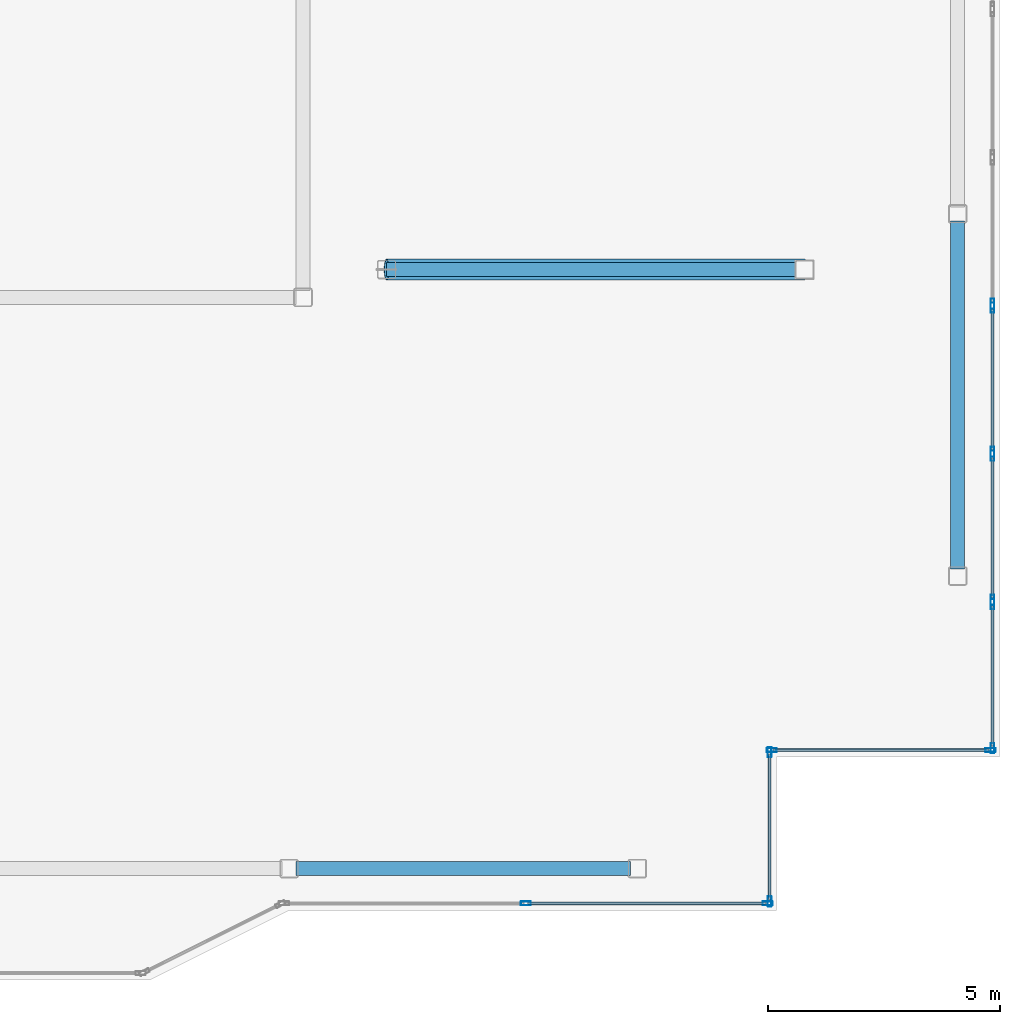
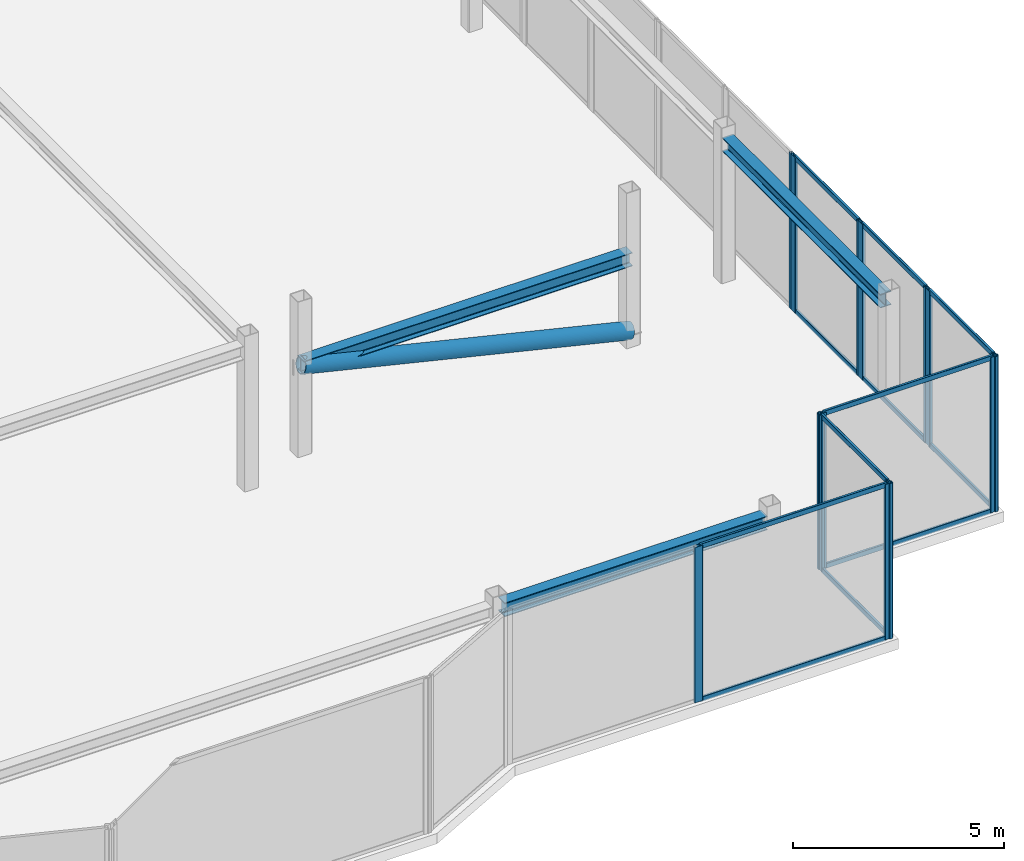
# One storey, part 8 of 14: 26 members, 3 beams, 7 elements without a shape of their own.
"""IFC4 building model written with IfcOpenShell, lengths in metres."""

from ifc_helpers import new_model, si_unit, direction, frame, origin, origin_2d, place, context, subcontext, project, spatial, hollow_rectangle, hollow_circle, i_section, extrude, material, layer, layer_set, material_profile, profile_set, type_object, element, aggregate, save


model = new_model("IFC4")

# Units and contexts
model_context = context("Model", 3, precision=1e-05, world=origin(), true_north=direction((0.0, 1.0)))
body_context = subcontext(model_context, "Body", "Model", "MODEL_VIEW")
ifc_project = project(units=[si_unit("LENGTHUNIT", "METRE"), si_unit("AREAUNIT", "SQUARE_METRE"), si_unit("VOLUMEUNIT", "CUBIC_METRE"), si_unit("PLANEANGLEUNIT", "RADIAN"), si_unit("MASSUNIT", "GRAM", prefix="KILO")], contexts=[model_context])

# Site, building, storey
site_placement = place(None, origin())
site = spatial("IfcSite", under=ifc_project, at=site_placement, CompositionType="ELEMENT")
building_placement = place(site_placement, origin())
building = spatial("IfcBuilding", under=site, at=building_placement, Name="Tarnavaz Court Tower", CompositionType="ELEMENT")
storey_placement = place(building_placement, frame((0.0, 0.0, 286.050048828125)))
storey = spatial("IfcBuildingStorey", under=building, at=storey_placement, Name="C02", CompositionType="ELEMENT", Elevation=286.050048828125)

# Beams
ifc_material_1 = material(Name="Steel S355", Category="steel")
ifc_material_profile_1 = material_profile(ifc_material_1, i_section(OverallWidth=0.300048828125, OverallDepth=0.389892578125, WebThickness=0.010986328125, FlangeThickness=0.01904296875, FilletRadius=0.027099609375, at=origin_2d()), Name="HEA 400")
ifc_profile_set_1 = profile_set([ifc_material_profile_1], Name="Steel S355")
beam_type_1 = type_object("IfcBeamType", Name="BM-CR-IPE300", PredefinedType="USERDEFINED", material=ifc_profile_set_1)
beam_1_placement = place(storey_placement, frame((18.60009765625, -7.199951171875, 2.5), z_axis=(-1.0, 0.0, 0.0), x_axis=(0.0, -1.0, 0.0)))
element("IfcBeam", 1, at=beam_1_placement, inside=storey, type_object=beam_type_1, Name="C02 Crown Frame E Core Tie Beam", ObjectType="CROWN FRAME", PredefinedType="USERDEFINED", context=body_context, shape_type="SweptSolid", body=[
    extrude(i_section(OverallWidth=0.300048828125, OverallDepth=0.389892578125, WebThickness=0.010986328125, FlangeThickness=0.01904296875, FilletRadius=0.027099609375, at=origin_2d()), origin(), (0.0, 0.0, 1.0), 9.0),
])
ifc_material_profile_2 = material_profile(ifc_material_1, i_section(OverallWidth=0.300048828125, OverallDepth=0.39990234375, WebThickness=0.013427734375, FlangeThickness=0.02392578125, FilletRadius=0.027099609375, at=origin_2d()), Name="HEB 400")
ifc_profile_set_2 = profile_set([ifc_material_profile_2], Name="Steel S355")
beam_type_2 = type_object("IfcBeamType", Name="BM-G-HEB400", PredefinedType="USERDEFINED", material=ifc_profile_set_2)
beam_2_placement = place(storey_placement, frame((7.64990234375, -20.10009765625, 4.0), z_axis=(1.0, 0.0, 0.0), x_axis=(0.0, 1.0, 0.0)))
element("IfcBeam", 2, at=beam_2_placement, inside=storey, type_object=beam_type_2, Name="C02 Beam CRG-PS-3-PS-4", ObjectType="GIRDER", PredefinedType="USERDEFINED", context=body_context, shape_type="SweptSolid", body=[
    extrude(i_section(OverallWidth=0.300048828125, OverallDepth=0.39990234375, WebThickness=0.013427734375, FlangeThickness=0.02392578125, FilletRadius=0.027099609375, at=origin_2d()), origin(), (0.0, 0.0, 1.0), 7.2001953125),
])
beam_3_placement = place(storey_placement, frame((21.89990234375, -13.64990234375, 4.0), z_axis=(0.0, 1.0, 0.0), x_axis=(-1.0, 0.0, 0.0)))
element("IfcBeam", 3, at=beam_3_placement, inside=storey, type_object=beam_type_2, Name="C02 Beam CRG-PE-1-PE-2", ObjectType="GIRDER", PredefinedType="USERDEFINED", context=body_context, shape_type="SweptSolid", body=[
    extrude(i_section(OverallWidth=0.300048828125, OverallDepth=0.39990234375, WebThickness=0.013427734375, FlangeThickness=0.02392578125, FilletRadius=0.027099609375, at=origin_2d()), origin(), (0.0, 0.0, 1.0), 7.5),
])

# Curtain wall, member
ifc_material_2 = material(Name="Anodised Aluminium 6063-T6 and Solar Low-E Glazing", Category="aluminium")
ifc_layer = layer(ifc_material_2, 0.2099609375)
ifc_layer_set = layer_set([ifc_layer], Name="Anodised Aluminium 6063-T6 and Solar Low-E Glazing")
curtain_wall_type = type_object("IfcCurtainWallType", Name="CW-SYS-06", PredefinedType="NOTDEFINED", material=ifc_layer_set)
curtain_wall_1_placement = place(storey_placement, origin())
curtain_wall_1 = element("IfcCurtainWall", 4, at=curtain_wall_1_placement, inside=storey, type_object=curtain_wall_type, Name="C02 Slanted Crown Terracotta Curtain Wall 31", PredefinedType="NOTDEFINED")
ifc_material_3 = material(Name="Anodised Aluminium 6063-T6", Category="aluminium")
ifc_material_profile_3 = material_profile(ifc_material_3, hollow_rectangle(XDim=0.0849609375, YDim=0.219970703125, WallThickness=0.006103515625, InnerFilletRadius=0.006103515625, OuterFilletRadius=0.011962890625, at=origin_2d()), Name="ALU RHS 220X85X6")
ifc_profile_set_3 = profile_set([ifc_material_profile_3], Name="Anodised Aluminium 6063-T6")
member_type_1 = type_object("IfcMemberType", Name="CW-MUL-220", PredefinedType="MULLION", material=ifc_profile_set_3)
member_1_placement = place(storey_placement, frame((22.64990234375, -7.934814453125, 0.0), z_axis=(0.0, 0.0, 1.0), x_axis=(1.0, 0.0, 0.0)))
member_1 = element("IfcMember", 5, at=member_1_placement, type_object=member_type_1, Name="CW mullion 2", PredefinedType="MULLION", context=body_context, shape_type="SweptSolid", body=[
    extrude(hollow_rectangle(XDim=0.0849609375, YDim=0.219970703125, WallThickness=0.006103515625, InnerFilletRadius=0.006103515625, OuterFilletRadius=0.011962890625, at=origin_2d()), origin(), (0.0, 0.0, 1.0), 4.5),
])
aggregate(curtain_wall_1, [member_1])

# Curtain wall, members
curtain_wall_2_placement = place(storey_placement, origin())
curtain_wall_2 = element("IfcCurtainWall", 6, at=curtain_wall_2_placement, inside=storey, type_object=curtain_wall_type, Name="C02 Slanted Crown Terracotta Curtain Wall 32", PredefinedType="NOTDEFINED")
member_2_placement = place(storey_placement, frame((22.64990234375, -8.019775390625, 0.0), z_axis=(0.0, 0.0, 1.0), x_axis=(1.0, 0.0, 0.0)))
member_2 = element("IfcMember", 7, at=member_2_placement, type_object=member_type_1, Name="CW mullion 1", PredefinedType="MULLION", context=body_context, shape_type="SweptSolid", body=[
    extrude(hollow_rectangle(XDim=0.0849609375, YDim=0.219970703125, WallThickness=0.006103515625, InnerFilletRadius=0.006103515625, OuterFilletRadius=0.011962890625, at=origin_2d()), origin(), (0.0, 0.0, 1.0), 4.5),
])
member_3_placement = place(storey_placement, frame((22.64990234375, -11.125732421875, 0.0), z_axis=(0.0, 0.0, 1.0), x_axis=(1.0, 0.0, 0.0)))
member_3 = element("IfcMember", 8, at=member_3_placement, type_object=member_type_1, Name="CW mullion 2", PredefinedType="MULLION", context=body_context, shape_type="SweptSolid", body=[
    extrude(hollow_rectangle(XDim=0.0849609375, YDim=0.219970703125, WallThickness=0.006103515625, InnerFilletRadius=0.006103515625, OuterFilletRadius=0.011962890625, at=origin_2d()), origin(), (0.0, 0.0, 1.0), 4.5),
])

curtain_wall_3_placement = place(storey_placement, origin())
curtain_wall_3 = element("IfcCurtainWall", 9, at=curtain_wall_3_placement, inside=storey, type_object=curtain_wall_type, Name="C02 Slanted Crown Terracotta Curtain Wall 33", PredefinedType="NOTDEFINED")
member_4_placement = place(storey_placement, frame((22.64990234375, -11.210693359375, 0.0), z_axis=(0.0, 0.0, 1.0), x_axis=(1.0, 0.0, 0.0)))
member_4 = element("IfcMember", 10, at=member_4_placement, type_object=member_type_1, Name="CW mullion 1", PredefinedType="MULLION", context=body_context, shape_type="SweptSolid", body=[
    extrude(hollow_rectangle(XDim=0.0849609375, YDim=0.219970703125, WallThickness=0.006103515625, InnerFilletRadius=0.006103515625, OuterFilletRadius=0.011962890625, at=origin_2d()), origin(), (0.0, 0.0, 1.0), 4.5),
])
member_5_placement = place(storey_placement, frame((22.64990234375, -14.316650390625, 0.0), z_axis=(0.0, 0.0, 1.0), x_axis=(1.0, 0.0, 0.0)))
member_5 = element("IfcMember", 11, at=member_5_placement, type_object=member_type_1, Name="CW mullion 2", PredefinedType="MULLION", context=body_context, shape_type="SweptSolid", body=[
    extrude(hollow_rectangle(XDim=0.0849609375, YDim=0.219970703125, WallThickness=0.006103515625, InnerFilletRadius=0.006103515625, OuterFilletRadius=0.011962890625, at=origin_2d()), origin(), (0.0, 0.0, 1.0), 4.5),
])

curtain_wall_4_placement = place(storey_placement, origin())
curtain_wall_4 = element("IfcCurtainWall", 12, at=curtain_wall_4_placement, inside=storey, type_object=curtain_wall_type, Name="C02 Slanted Crown Terracotta Curtain Wall 34", PredefinedType="NOTDEFINED")
member_6_placement = place(storey_placement, frame((22.64990234375, -14.401611328125, 0.0), z_axis=(0.0, 0.0, 1.0), x_axis=(1.0, 0.0, 0.0)))
member_6 = element("IfcMember", 13, at=member_6_placement, type_object=member_type_1, Name="CW mullion 1", PredefinedType="MULLION", context=body_context, shape_type="SweptSolid", body=[
    extrude(hollow_rectangle(XDim=0.0849609375, YDim=0.219970703125, WallThickness=0.006103515625, InnerFilletRadius=0.006103515625, OuterFilletRadius=0.011962890625, at=origin_2d()), origin(), (0.0, 0.0, 1.0), 4.5),
])
member_7_placement = place(storey_placement, frame((22.64990234375, -17.507568359375, 0.0), z_axis=(0.0, 0.0, 1.0), x_axis=(1.0, 0.0, 0.0)))
member_7 = element("IfcMember", 14, at=member_7_placement, type_object=member_type_1, Name="CW mullion 2", PredefinedType="MULLION", context=body_context, shape_type="SweptSolid", body=[
    extrude(hollow_rectangle(XDim=0.0849609375, YDim=0.219970703125, WallThickness=0.006103515625, InnerFilletRadius=0.006103515625, OuterFilletRadius=0.011962890625, at=origin_2d()), origin(), (0.0, 0.0, 1.0), 4.5),
])

curtain_wall_5_placement = place(storey_placement, origin())
curtain_wall_5 = element("IfcCurtainWall", 15, at=curtain_wall_5_placement, inside=storey, type_object=curtain_wall_type, Name="C02 Slanted Crown Terracotta Curtain Wall 35", PredefinedType="NOTDEFINED")
member_8_placement = place(storey_placement, frame((22.607421875, -17.550048828125, 0.0), z_axis=(0.0, 0.0, 1.0), x_axis=(0.0, -1.0, 0.0)))
member_8 = element("IfcMember", 16, at=member_8_placement, type_object=member_type_1, Name="CW mullion 1", PredefinedType="MULLION", context=body_context, shape_type="SweptSolid", body=[
    extrude(hollow_rectangle(XDim=0.0849609375, YDim=0.219970703125, WallThickness=0.006103515625, InnerFilletRadius=0.006103515625, OuterFilletRadius=0.011962890625, at=origin_2d()), origin(), (0.0, 0.0, 1.0), 4.5),
])
member_9_placement = place(storey_placement, frame((17.892578125, -17.550048828125, 0.0), z_axis=(0.0, 0.0, 1.0), x_axis=(0.0, -1.0, 0.0)))
member_9 = element("IfcMember", 17, at=member_9_placement, type_object=member_type_1, Name="CW mullion 2", PredefinedType="MULLION", context=body_context, shape_type="SweptSolid", body=[
    extrude(hollow_rectangle(XDim=0.0849609375, YDim=0.219970703125, WallThickness=0.006103515625, InnerFilletRadius=0.006103515625, OuterFilletRadius=0.011962890625, at=origin_2d()), origin(), (0.0, 0.0, 1.0), 4.5),
])

curtain_wall_6_placement = place(storey_placement, origin())
curtain_wall_6 = element("IfcCurtainWall", 18, at=curtain_wall_6_placement, inside=storey, type_object=curtain_wall_type, Name="C02 Slanted Crown Terracotta Curtain Wall 36", PredefinedType="NOTDEFINED")
member_10_placement = place(storey_placement, frame((17.85009765625, -17.592529296875, 0.0), z_axis=(0.0, 0.0, 1.0), x_axis=(1.0, 0.0, 0.0)))
member_10 = element("IfcMember", 19, at=member_10_placement, type_object=member_type_1, Name="CW mullion 1", PredefinedType="MULLION", context=body_context, shape_type="SweptSolid", body=[
    extrude(hollow_rectangle(XDim=0.0849609375, YDim=0.219970703125, WallThickness=0.006103515625, InnerFilletRadius=0.006103515625, OuterFilletRadius=0.011962890625, at=origin_2d()), origin(), (0.0, 0.0, 1.0), 4.5),
])
member_11_placement = place(storey_placement, frame((17.85009765625, -20.8076171875, 0.0), z_axis=(0.0, 0.0, 1.0), x_axis=(1.0, 0.0, 0.0)))
member_11 = element("IfcMember", 20, at=member_11_placement, type_object=member_type_1, Name="CW mullion 2", PredefinedType="MULLION", context=body_context, shape_type="SweptSolid", body=[
    extrude(hollow_rectangle(XDim=0.0849609375, YDim=0.219970703125, WallThickness=0.006103515625, InnerFilletRadius=0.006103515625, OuterFilletRadius=0.011962890625, at=origin_2d()), origin(), (0.0, 0.0, 1.0), 4.5),
])

curtain_wall_7_placement = place(storey_placement, origin())
curtain_wall_7 = element("IfcCurtainWall", 21, at=curtain_wall_7_placement, inside=storey, type_object=curtain_wall_type, Name="C02 Slanted Crown Terracotta Curtain Wall 37", PredefinedType="NOTDEFINED")
member_12_placement = place(storey_placement, frame((17.8076171875, -20.85009765625, 0.0), z_axis=(0.0, 0.0, 1.0), x_axis=(0.0, -1.0, 0.0)))
member_12 = element("IfcMember", 22, at=member_12_placement, type_object=member_type_1, Name="CW mullion 1", PredefinedType="MULLION", context=body_context, shape_type="SweptSolid", body=[
    extrude(hollow_rectangle(XDim=0.0849609375, YDim=0.219970703125, WallThickness=0.006103515625, InnerFilletRadius=0.006103515625, OuterFilletRadius=0.011962890625, at=origin_2d()), origin(), (0.0, 0.0, 1.0), 4.5),
])
member_13_placement = place(storey_placement, frame((12.60009765625, -20.85009765625, 0.0), z_axis=(0.0, 0.0, 1.0), x_axis=(0.0, -1.0, 0.0)))
member_13 = element("IfcMember", 23, at=member_13_placement, type_object=member_type_1, Name="CW mullion 2", PredefinedType="MULLION", context=body_context, shape_type="SweptSolid", body=[
    extrude(hollow_rectangle(XDim=0.0849609375, YDim=0.219970703125, WallThickness=0.006103515625, InnerFilletRadius=0.006103515625, OuterFilletRadius=0.011962890625, at=origin_2d()), origin(), (0.0, 0.0, 1.0), 4.5),
])

# Member
ifc_material_profile_4 = material_profile(ifc_material_3, hollow_rectangle(XDim=0.06494140625, YDim=0.139892578125, WallThickness=0.00390625, InnerFilletRadius=0.00390625, OuterFilletRadius=0.008056640625, at=origin_2d()), Name="ALU RHS 140X65X4")
ifc_profile_set_4 = profile_set([ifc_material_profile_4], Name="Anodised Aluminium 6063-T6")
member_type_2 = type_object("IfcMemberType", Name="CW-TRN-140", PredefinedType="USERDEFINED", material=ifc_profile_set_4)
member_14_placement = place(storey_placement, frame((22.64990234375, -8.062255859375, 0.032470703125), z_axis=(0.0, -1.0, 0.0), x_axis=(1.0, 0.0, 0.0)))
member_14 = element("IfcMember", 24, at=member_14_placement, type_object=member_type_2, Name="CW transom 1.1", ObjectType="TRANSOM", PredefinedType="USERDEFINED", context=body_context, shape_type="SweptSolid", body=[
    extrude(hollow_rectangle(XDim=0.06494140625, YDim=0.139892578125, WallThickness=0.00390625, InnerFilletRadius=0.00390625, OuterFilletRadius=0.008056640625, at=origin_2d()), origin(), (0.0, 0.0, 1.0), 3.02099609375),
])

member_15_placement = place(storey_placement, frame((22.64990234375, -8.062255859375, 4.467529296875), z_axis=(0.0, -1.0, 0.0), x_axis=(1.0, 0.0, 0.0)))
member_15 = element("IfcMember", 25, at=member_15_placement, type_object=member_type_2, Name="CW transom 1.2", ObjectType="TRANSOM", PredefinedType="USERDEFINED", context=body_context, shape_type="SweptSolid", body=[
    extrude(hollow_rectangle(XDim=0.06494140625, YDim=0.139892578125, WallThickness=0.00390625, InnerFilletRadius=0.00390625, OuterFilletRadius=0.008056640625, at=origin_2d()), origin(), (0.0, 0.0, 1.0), 3.02099609375),
])

aggregate(curtain_wall_2, [member_2, member_3, member_14, member_15])

member_16_placement = place(storey_placement, frame((22.64990234375, -11.253173828125, 0.032470703125), z_axis=(0.0, -1.0, 0.0), x_axis=(1.0, 0.0, 0.0)))
member_16 = element("IfcMember", 26, at=member_16_placement, type_object=member_type_2, Name="CW transom 1.1", ObjectType="TRANSOM", PredefinedType="USERDEFINED", context=body_context, shape_type="SweptSolid", body=[
    extrude(hollow_rectangle(XDim=0.06494140625, YDim=0.139892578125, WallThickness=0.00390625, InnerFilletRadius=0.00390625, OuterFilletRadius=0.008056640625, at=origin_2d()), origin(), (0.0, 0.0, 1.0), 3.02099609375),
])

member_17_placement = place(storey_placement, frame((22.64990234375, -11.253173828125, 4.467529296875), z_axis=(0.0, -1.0, 0.0), x_axis=(1.0, 0.0, 0.0)))
member_17 = element("IfcMember", 27, at=member_17_placement, type_object=member_type_2, Name="CW transom 1.2", ObjectType="TRANSOM", PredefinedType="USERDEFINED", context=body_context, shape_type="SweptSolid", body=[
    extrude(hollow_rectangle(XDim=0.06494140625, YDim=0.139892578125, WallThickness=0.00390625, InnerFilletRadius=0.00390625, OuterFilletRadius=0.008056640625, at=origin_2d()), origin(), (0.0, 0.0, 1.0), 3.02099609375),
])

aggregate(curtain_wall_3, [member_4, member_5, member_16, member_17])

member_18_placement = place(storey_placement, frame((22.64990234375, -14.444091796875, 0.032470703125), z_axis=(0.0, -1.0, 0.0), x_axis=(1.0, 0.0, 0.0)))
member_18 = element("IfcMember", 28, at=member_18_placement, type_object=member_type_2, Name="CW transom 1.1", ObjectType="TRANSOM", PredefinedType="USERDEFINED", context=body_context, shape_type="SweptSolid", body=[
    extrude(hollow_rectangle(XDim=0.06494140625, YDim=0.139892578125, WallThickness=0.00390625, InnerFilletRadius=0.00390625, OuterFilletRadius=0.008056640625, at=origin_2d()), origin(), (0.0, 0.0, 1.0), 3.02099609375),
])

member_19_placement = place(storey_placement, frame((22.64990234375, -14.444091796875, 4.467529296875), z_axis=(0.0, -1.0, 0.0), x_axis=(1.0, 0.0, 0.0)))
member_19 = element("IfcMember", 29, at=member_19_placement, type_object=member_type_2, Name="CW transom 1.2", ObjectType="TRANSOM", PredefinedType="USERDEFINED", context=body_context, shape_type="SweptSolid", body=[
    extrude(hollow_rectangle(XDim=0.06494140625, YDim=0.139892578125, WallThickness=0.00390625, InnerFilletRadius=0.00390625, OuterFilletRadius=0.008056640625, at=origin_2d()), origin(), (0.0, 0.0, 1.0), 3.02099609375),
])

aggregate(curtain_wall_4, [member_6, member_7, member_18, member_19])

member_20_placement = place(storey_placement, frame((22.56494140625, -17.550048828125, 0.032470703125), z_axis=(-1.0, 0.0, 0.0), x_axis=(0.0, -1.0, 0.0)))
member_20 = element("IfcMember", 30, at=member_20_placement, type_object=member_type_2, Name="CW transom 1.1", ObjectType="TRANSOM", PredefinedType="USERDEFINED", context=body_context, shape_type="SweptSolid", body=[
    extrude(hollow_rectangle(XDim=0.06494140625, YDim=0.139892578125, WallThickness=0.00390625, InnerFilletRadius=0.00390625, OuterFilletRadius=0.008056640625, at=origin_2d()), origin(), (0.0, 0.0, 1.0), 4.6298828125),
])

member_21_placement = place(storey_placement, frame((22.56494140625, -17.550048828125, 4.467529296875), z_axis=(-1.0, 0.0, 0.0), x_axis=(0.0, -1.0, 0.0)))
member_21 = element("IfcMember", 31, at=member_21_placement, type_object=member_type_2, Name="CW transom 1.2", ObjectType="TRANSOM", PredefinedType="USERDEFINED", context=body_context, shape_type="SweptSolid", body=[
    extrude(hollow_rectangle(XDim=0.06494140625, YDim=0.139892578125, WallThickness=0.00390625, InnerFilletRadius=0.00390625, OuterFilletRadius=0.008056640625, at=origin_2d()), origin(), (0.0, 0.0, 1.0), 4.6298828125),
])

aggregate(curtain_wall_5, [member_8, member_9, member_20, member_21])

member_22_placement = place(storey_placement, frame((17.85009765625, -17.635009765625, 0.032470703125), z_axis=(0.0, -1.0, 0.0), x_axis=(1.0, 0.0, 0.0)))
member_22 = element("IfcMember", 32, at=member_22_placement, type_object=member_type_2, Name="CW transom 1.1", ObjectType="TRANSOM", PredefinedType="USERDEFINED", context=body_context, shape_type="SweptSolid", body=[
    extrude(hollow_rectangle(XDim=0.06494140625, YDim=0.139892578125, WallThickness=0.00390625, InnerFilletRadius=0.00390625, OuterFilletRadius=0.008056640625, at=origin_2d()), origin(), (0.0, 0.0, 1.0), 3.1298828125),
])

member_23_placement = place(storey_placement, frame((17.85009765625, -17.635009765625, 4.467529296875), z_axis=(0.0, -1.0, 0.0), x_axis=(1.0, 0.0, 0.0)))
member_23 = element("IfcMember", 33, at=member_23_placement, type_object=member_type_2, Name="CW transom 1.2", ObjectType="TRANSOM", PredefinedType="USERDEFINED", context=body_context, shape_type="SweptSolid", body=[
    extrude(hollow_rectangle(XDim=0.06494140625, YDim=0.139892578125, WallThickness=0.00390625, InnerFilletRadius=0.00390625, OuterFilletRadius=0.008056640625, at=origin_2d()), origin(), (0.0, 0.0, 1.0), 3.1298828125),
])

aggregate(curtain_wall_6, [member_10, member_11, member_22, member_23])

member_24_placement = place(storey_placement, frame((17.764892578125, -20.85009765625, 0.032470703125), z_axis=(-1.0, 0.0, 0.0), x_axis=(0.0, -1.0, 0.0)))
member_24 = element("IfcMember", 34, at=member_24_placement, type_object=member_type_2, Name="CW transom 1.1", ObjectType="TRANSOM", PredefinedType="USERDEFINED", context=body_context, shape_type="SweptSolid", body=[
    extrude(hollow_rectangle(XDim=0.06494140625, YDim=0.139892578125, WallThickness=0.00390625, InnerFilletRadius=0.00390625, OuterFilletRadius=0.008056640625, at=origin_2d()), origin(), (0.0, 0.0, 1.0), 5.122314453125),
])

member_25_placement = place(storey_placement, frame((17.764892578125, -20.85009765625, 4.467529296875), z_axis=(-1.0, 0.0, 0.0), x_axis=(0.0, -1.0, 0.0)))
member_25 = element("IfcMember", 35, at=member_25_placement, type_object=member_type_2, Name="CW transom 1.2", ObjectType="TRANSOM", PredefinedType="USERDEFINED", context=body_context, shape_type="SweptSolid", body=[
    extrude(hollow_rectangle(XDim=0.06494140625, YDim=0.139892578125, WallThickness=0.00390625, InnerFilletRadius=0.00390625, OuterFilletRadius=0.008056640625, at=origin_2d()), origin(), (0.0, 0.0, 1.0), 5.122314453125),
])

aggregate(curtain_wall_7, [member_12, member_13, member_24, member_25])

ifc_material_profile_5 = material_profile(ifc_material_1, hollow_circle(Radius=0.228515625, WallThickness=0.02001953125, at=origin_2d()), Name="CHS 457X20")
ifc_profile_set_5 = profile_set([ifc_material_profile_5], Name="Steel S355")
member_type_3 = type_object("IfcMemberType", Name="MB-CR-CHS273", PredefinedType="USERDEFINED", material=ifc_profile_set_5)
member_26_placement = place(storey_placement, frame((18.60009765625, -7.199951171875, 0.349853515625), z_axis=(-0.972628429945, 0.0, 0.232365955472), x_axis=(0.0, -1.0, 0.0)))
element("IfcMember", 36, at=member_26_placement, inside=storey, type_object=member_type_3, Name="C02 Crown Frame E Wind Brace", ObjectType="CROWN FRAME", PredefinedType="USERDEFINED", context=body_context, shape_type="SweptSolid", body=[
    extrude(hollow_circle(Radius=0.228515625, WallThickness=0.02001953125, at=origin_2d()), origin(), (0.0, 0.0, 1.0), 9.253173828125),
])

save(model, "model.ifc")
